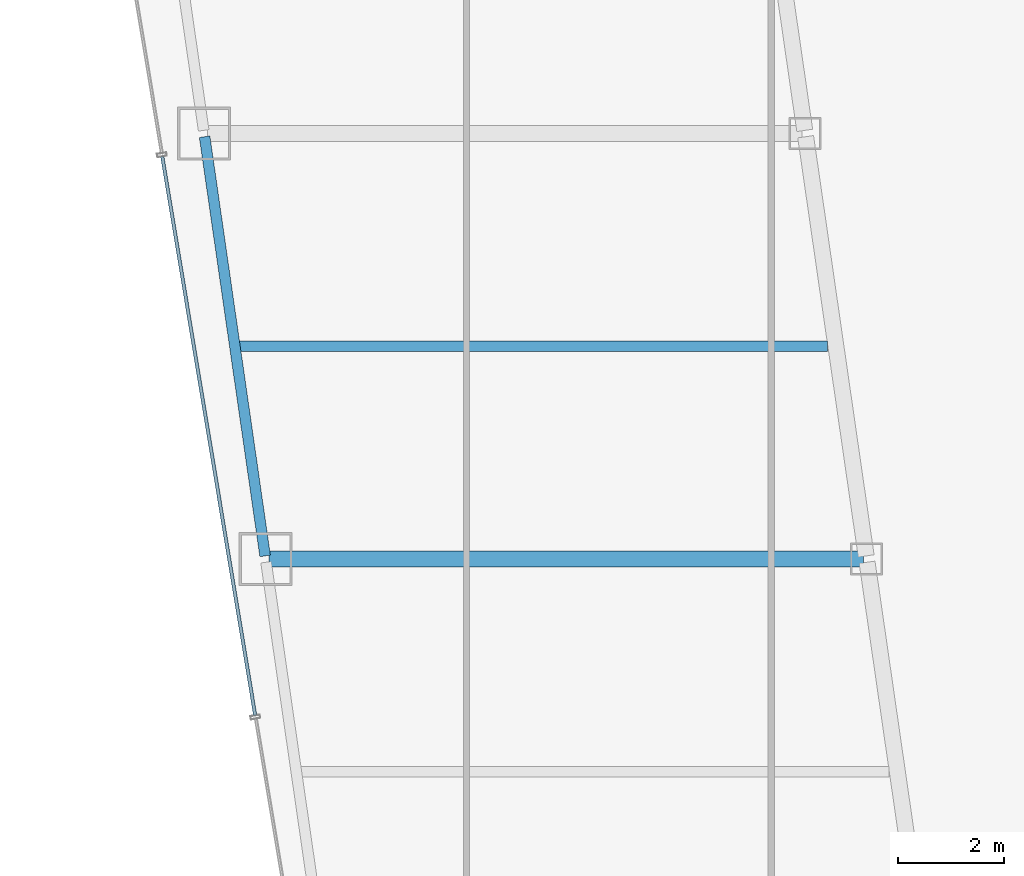
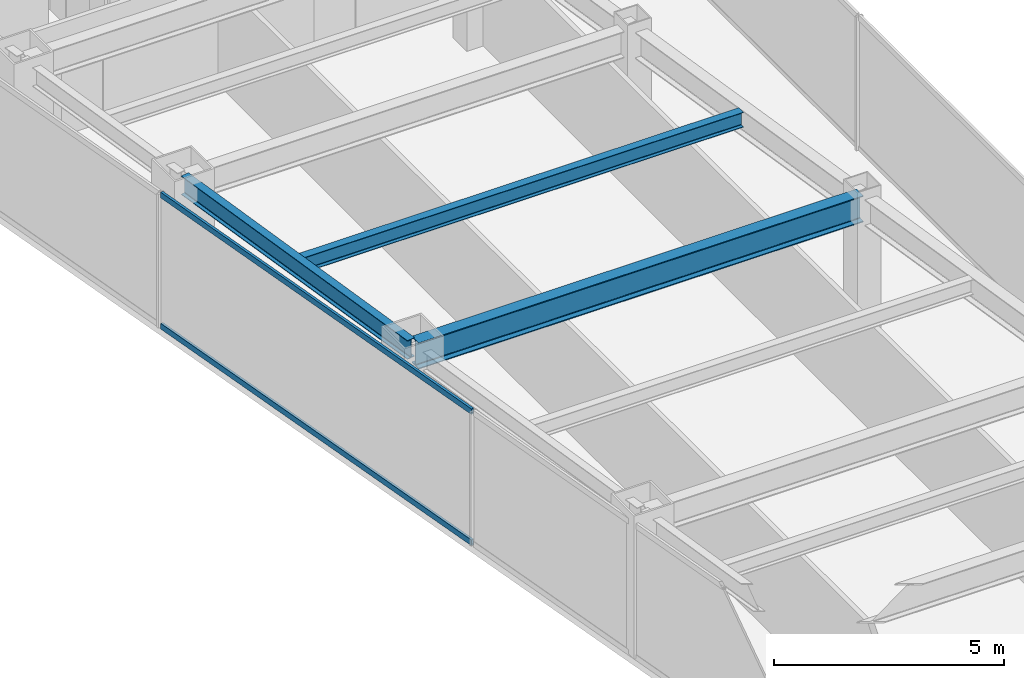
# One storey, part 8 of 38: 3 beams, 2 members, 1 element without a shape of its own.
"""IFC4 building model written with IfcOpenShell, lengths in metres."""

from ifc_helpers import new_model, si_unit, direction, frame, origin, origin_2d, place, context, subcontext, project, spatial, hollow_rectangle, i_section, extrude, material, material_profile, profile_set, type_object, element, aggregate, save


model = new_model("IFC4")

# Units and contexts
model_context = context("Model", 3, precision=1e-05, world=origin(), true_north=direction((0.0, 1.0)))
body_context = subcontext(model_context, "Body", "Model", "MODEL_VIEW")
ifc_project = project(units=[si_unit("LENGTHUNIT", "METRE"), si_unit("AREAUNIT", "SQUARE_METRE"), si_unit("VOLUMEUNIT", "CUBIC_METRE"), si_unit("PLANEANGLEUNIT", "RADIAN"), si_unit("MASSUNIT", "GRAM", prefix="KILO")], contexts=[model_context])

# Site, building, storey
site_placement = place(None, origin())
site = spatial("IfcSite", under=ifc_project, at=site_placement, CompositionType="ELEMENT")
building_placement = place(site_placement, origin())
building = spatial("IfcBuilding", under=site, at=building_placement, Name="Saevonmaru Cultural Tower", CompositionType="ELEMENT")
storey_placement = place(building_placement, frame((0.0, 0.0, 137.199951171875)))
storey = spatial("IfcBuildingStorey", under=building, at=storey_placement, Name="L29", CompositionType="ELEMENT", Elevation=137.199951171875)

# Beams
ifc_material_1 = material(Name="Steel SM355", Category="steel")
ifc_material_profile_1 = material_profile(ifc_material_1, i_section(OverallWidth=0.300048828125, OverallDepth=0.699951171875, WebThickness=0.012939453125, FlangeThickness=0.02392578125, FilletRadius=0.02587890625, at=origin_2d()), Name="H-700x300x13x24")
ifc_profile_set_1 = profile_set([ifc_material_profile_1], Name="Steel SM355")
beam_type_1 = type_object("IfcBeamType", Name="BM-G-H700", PredefinedType="BEAM", material=ifc_profile_set_1)
beam_1_placement = place(storey_placement, frame((9.531982421875, 24.0, 3.199951171875), z_axis=(1.0, 0.0, 0.0), x_axis=(0.0, 1.0, 0.0)))
element("IfcBeam", 1, at=beam_1_placement, inside=storey, type_object=beam_type_1, Name="L29 West Wing Transverse Girder 3", PredefinedType="BEAM", context=body_context, shape_type="SweptSolid", body=[
    extrude(i_section(OverallWidth=0.300048828125, OverallDepth=0.699951171875, WebThickness=0.012939453125, FlangeThickness=0.02392578125, FilletRadius=0.02587890625, at=origin_2d()), origin(), (0.0, 0.0, 1.0), 11.179931640625),
])
ifc_material_profile_2 = material_profile(ifc_material_1, i_section(OverallWidth=0.199951171875, OverallDepth=0.39990234375, WebThickness=0.008056640625, FlangeThickness=0.012939453125, FilletRadius=0.01611328125, at=origin_2d()), Name="H-400x200x8x13")
ifc_profile_set_2 = profile_set([ifc_material_profile_2], Name="Steel SM355")
beam_type_2 = type_object("IfcBeamType", Name="BM-J-H400", PredefinedType="JOIST", material=ifc_profile_set_2)
beam_2_placement = place(storey_placement, frame((8.95458984375, 28.0, 3.35009765625), z_axis=(1.0, 0.0, 0.0), x_axis=(0.0, 1.0, 0.0)))
element("IfcBeam", 2, at=beam_2_placement, inside=storey, type_object=beam_type_2, Name="L29 West Wing Floor Joist 3", PredefinedType="JOIST", context=body_context, shape_type="SweptSolid", body=[
    extrude(i_section(OverallWidth=0.199951171875, OverallDepth=0.39990234375, WebThickness=0.008056640625, FlangeThickness=0.012939453125, FilletRadius=0.01611328125, at=origin_2d()), origin(), (0.0, 0.0, 1.0), 11.08203125),
])
ifc_material_profile_3 = material_profile(ifc_material_1, i_section(OverallWidth=0.199951171875, OverallDepth=0.5, WebThickness=0.010009765625, FlangeThickness=0.01611328125, FilletRadius=0.02001953125, at=origin_2d()), Name="H-500x200x10x16")
ifc_profile_set_3 = profile_set([ifc_material_profile_3], Name="Steel SM355")
beam_type_3 = type_object("IfcBeamType", Name="BM-SP-H500", PredefinedType="SPANDREL", material=ifc_profile_set_3)
beam_3_placement = place(storey_placement, frame((9.46337890625, 24.059326171875, 3.300048828125), z_axis=(-0.142871999001, 0.989741174197, 0.0), x_axis=(-0.989741174197, -0.142871999001, 0.0)))
element("IfcBeam", 3, at=beam_3_placement, inside=storey, type_object=beam_type_3, Name="L29 West Splayed Spandrel 3", PredefinedType="SPANDREL", context=body_context, shape_type="SweptSolid", body=[
    extrude(i_section(OverallWidth=0.199951171875, OverallDepth=0.5, WebThickness=0.010009765625, FlangeThickness=0.01611328125, FilletRadius=0.02001953125, at=origin_2d()), origin(), (0.0, 0.0, 1.0), 7.963134765625),
])

# Curtain wall, members
ifc_material_2 = material(Name="Satin Bronze Anodised Aluminium", Category="aluminium")
curtain_wall_type = type_object("IfcCurtainWallType", Name="CW-TYP-A", PredefinedType="NOTDEFINED", material=ifc_material_2)
curtain_wall_placement = place(storey_placement, origin())
curtain_wall = element("IfcCurtainWall", 4, at=curtain_wall_placement, inside=storey, type_object=curtain_wall_type, Name="L29 Unitised Curtain Wall E12", PredefinedType="NOTDEFINED")
ifc_material_profile_4 = material_profile(ifc_material_2, hollow_rectangle(XDim=0.06494140625, YDim=0.14990234375, WallThickness=0.00390625, at=origin_2d()), Name="ALU-TRAN-150x65x4")
ifc_profile_set_4 = profile_set([ifc_material_profile_4], Name="Satin Bronze Anodised Aluminium")
member_type = type_object("IfcMemberType", Name="TR-CW-150x65", PredefinedType="USERDEFINED", material=ifc_profile_set_4)
member_1_placement = place(storey_placement, frame((7.52978515625, 31.56787109375, 0.032470703125), z_axis=(0.163993787386, -0.98646137162, 0.0), x_axis=(0.98646137162, 0.163993787386, 0.0)))
member_1 = element("IfcMember", 5, at=member_1_placement, type_object=member_type, Name="CW-TW-L29-E12 transom 3.1", ObjectType="TRANSOM", PredefinedType="USERDEFINED", context=body_context, shape_type="SweptSolid", body=[
    extrude(hollow_rectangle(XDim=0.06494140625, YDim=0.14990234375, WallThickness=0.00390625, at=origin_2d()), origin(), (0.0, 0.0, 1.0), 10.650390625),
])
member_2_placement = place(storey_placement, frame((7.52978515625, 31.56787109375, 3.517578125), z_axis=(0.163993787386, -0.98646137162, 0.0), x_axis=(0.98646137162, 0.163993787386, 0.0)))
member_2 = element("IfcMember", 6, at=member_2_placement, type_object=member_type, Name="CW-TW-L29-E12 transom 3.2", ObjectType="TRANSOM", PredefinedType="USERDEFINED", context=body_context, shape_type="SweptSolid", body=[
    extrude(hollow_rectangle(XDim=0.06494140625, YDim=0.14990234375, WallThickness=0.00390625, at=origin_2d()), origin(), (0.0, 0.0, 1.0), 10.650390625),
])
aggregate(curtain_wall, [member_1, member_2])

save(model, "model.ifc")
